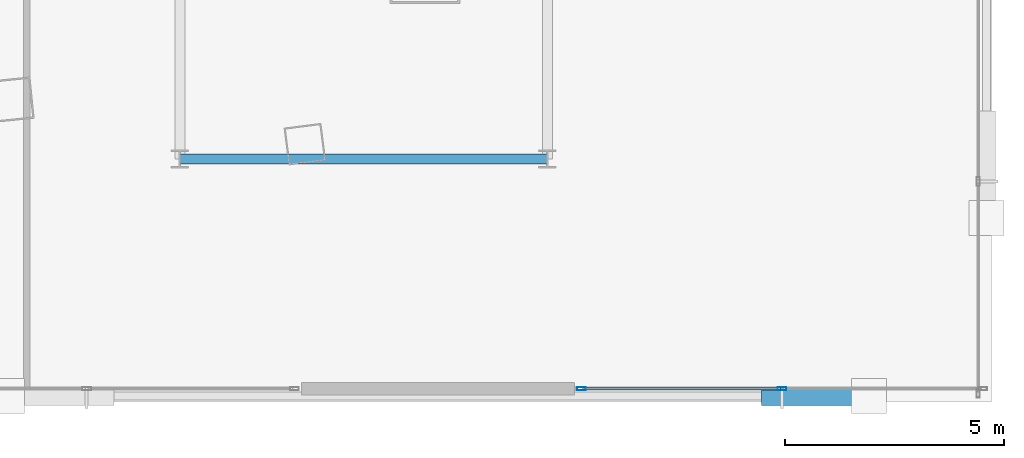
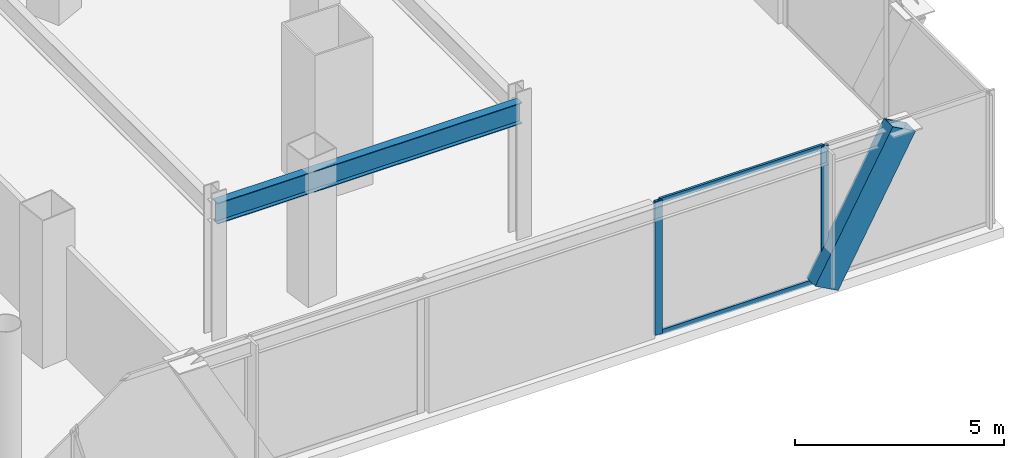
# One storey, part 15 of 46: 5 members, 1 beam, 1 element without a shape of its own.
"""IFC4 building model written with IfcOpenShell, lengths in metres."""

import ifcopenshell
import ifcopenshell.guid

model = None  # the IFC model being written
_history = None  # IfcOwnerHistory: only IFC2X3 demands one
_inside = {}  # id of a spatial element -> (the spatial element, [elements in it])
_under = {}  # id of a project, library or spatial element -> (it, [spatial elements below it])
_declared = {}  # id of a project -> (the project, [libraries it declares])
_typed = {}  # id of a type object -> (the type object, [elements of that type])
_made_of = {}  # id of a material, layer set ... -> (it, [elements and type objects made of it])


def new_model(schema):
    """Start an empty IFC model of exactly this schema.

    Asked for "IFC4X3", IfcOpenShell would pick the latest addendum, in which some entities
    have other attributes; the version numbers below select the first issue.
    IFC2X3 requires an IfcOwnerHistory on every rooted entity: one is made here for all.
    """
    global model, _history
    if schema == "IFC4X3":
        model = ifcopenshell.file(schema_version=(4, 3, 0, 0))
    else:
        model = ifcopenshell.file(schema=schema)
    _inside.clear()
    _under.clear()
    _declared.clear()
    _typed.clear()
    _made_of.clear()
    _history = None
    if model.schema == "IFC2X3":
        org = make("IfcOrganization", Name="unknown")
        user = make(
            "IfcPersonAndOrganization",
            ThePerson=make("IfcPerson", FamilyName="unknown"),
            TheOrganization=org,
        )
        app = make(
            "IfcApplication",
            ApplicationDeveloper=org,
            Version="unknown",
            ApplicationFullName="unknown",
            ApplicationIdentifier="unknown",
        )
        _history = make(
            "IfcOwnerHistory",
            OwningUser=user,
            OwningApplication=app,
            ChangeAction="ADDED",
            CreationDate=0,
        )
    return model


def make(cls, **values):
    """One entity of the class cls with the attributes given. An attribute that is None is left unset."""
    return model.create_entity(
        cls, **{name: value for name, value in values.items() if value is not None}
    )


def rooted(cls, **values):
    """An entity with a GlobalId (a new one), such as an element, a storey or a relation."""
    return make(cls, GlobalId=ifcopenshell.guid.new(), OwnerHistory=_history, **values)


def si_unit(unit_type, name, prefix=None):
    """IfcSIUnit, for example si_unit("LENGTHUNIT", "METRE", prefix="MILLI")."""
    return make("IfcSIUnit", UnitType=unit_type, Prefix=prefix, Name=name)


def assignment(units):
    """IfcUnitAssignment: the units of a project."""
    return None if units is None else make("IfcUnitAssignment", Units=units)


def point(xyz):
    """IfcCartesianPoint."""
    return None if xyz is None else make("IfcCartesianPoint", Coordinates=xyz)


def direction(xyz):
    """IfcDirection."""
    return None if xyz is None else make("IfcDirection", DirectionRatios=xyz)


def frame(location, z_axis=None, x_axis=None):
    """IfcAxis2Placement3D, a coordinate frame: its origin and axes. An axis left out is left unset."""
    return make(
        "IfcAxis2Placement3D",
        Location=point(location),
        Axis=direction(z_axis),
        RefDirection=direction(x_axis),
    )


def frame_2d(location, x_axis=None):
    """IfcAxis2Placement2D, a coordinate frame in the plane: its origin and x axis."""
    return make(
        "IfcAxis2Placement2D", Location=point(location), RefDirection=direction(x_axis)
    )


def origin():
    """The frame at (0, 0, 0) with its axes left unset."""
    return frame((0.0, 0.0, 0.0))


def origin_2d():
    """The frame at (0, 0) in the plane with its x axis left unset."""
    return frame_2d((0.0, 0.0))


def place(relative_to, where):
    """IfcLocalPlacement: puts the frame where relative to a parent placement (None: the world)."""
    return make(
        "IfcLocalPlacement", PlacementRelTo=relative_to, RelativePlacement=where
    )


def context(
    kind, dimensions, precision=None, world=None, true_north=None, identifier=None
):
    """IfcGeometricRepresentationContext, for example the 3D "Model" context."""
    return make(
        "IfcGeometricRepresentationContext",
        ContextIdentifier=identifier,
        ContextType=kind,
        CoordinateSpaceDimension=dimensions,
        Precision=precision,
        WorldCoordinateSystem=world,
        TrueNorth=true_north,
    )


def subcontext(parent, identifier, kind, view, scale=None):
    """IfcGeometricRepresentationSubContext, for example "Body" below "Model"."""
    return make(
        "IfcGeometricRepresentationSubContext",
        ContextIdentifier=identifier,
        ContextType=kind,
        ParentContext=parent,
        TargetScale=scale,
        TargetView=view,
    )


def project(units=None, contexts=None):
    """IfcProject with its units and contexts."""
    return rooted(
        "IfcProject",
        Name="project",
        RepresentationContexts=contexts,
        UnitsInContext=assignment(units),
    )


def spatial(cls, under=None, at=None, **own):
    """A site, building, storey or space (cls), placed at a placement, below another one or the project."""
    s = rooted(cls, ObjectPlacement=at, **own)
    if under is not None:
        _under.setdefault(under.id(), (under, []))[1].append(s)
    return s


def profile(cls, at=None, kind="AREA", **sizes):
    """A parametric profile (cls). Its sizes go by their IFC names, for example OverallWidth=200.0."""
    return make(cls, ProfileType=kind, Position=at, **sizes)


def hollow_rectangle(**sizes):
    """IfcRectangleHollowProfileDef."""
    return profile("IfcRectangleHollowProfileDef", **sizes)


def i_section(**sizes):
    """IfcIShapeProfileDef."""
    return profile("IfcIShapeProfileDef", **sizes)


def extrude(swept, where, along, depth):
    """IfcExtrudedAreaSolid: the profile swept, set in the frame where, extruded along a direction by depth."""
    return make(
        "IfcExtrudedAreaSolid",
        SweptArea=swept,
        Position=where,
        ExtrudedDirection=direction(along),
        Depth=depth,
    )


def shape(context_of_items, identifier, shape_type, items):
    """IfcShapeRepresentation: the items that make up one representation, for example the "Body"."""
    return make(
        "IfcShapeRepresentation",
        ContextOfItems=context_of_items,
        RepresentationIdentifier=identifier,
        RepresentationType=shape_type,
        Items=items,
    )


def material(Name=None, Category=None):
    """IfcMaterial."""
    return make("IfcMaterial", Name=Name, Category=Category)


def layer(
    of_material, thickness, ventilated=None, Name=None, Category=None, Priority=None
):
    """IfcMaterialLayer: one layer of a wall or slab, of a material (None: an air gap)."""
    return make(
        "IfcMaterialLayer",
        Material=of_material,
        LayerThickness=thickness,
        IsVentilated=ventilated,
        Name=Name,
        Category=Category,
        Priority=Priority,
    )


def layer_set(layers, Name=None):
    """IfcMaterialLayerSet."""
    return make("IfcMaterialLayerSet", MaterialLayers=layers, LayerSetName=Name)


def material_profile(
    of_material, cross_section, Name=None, Category=None, Priority=None
):
    """IfcMaterialProfile: a cross section and its material."""
    return make(
        "IfcMaterialProfile",
        Name=Name,
        Material=of_material,
        Profile=cross_section,
        Priority=Priority,
        Category=Category,
    )


def profile_set(profiles, Name=None, composite=None):
    """IfcMaterialProfileSet."""
    return make(
        "IfcMaterialProfileSet",
        Name=Name,
        MaterialProfiles=profiles,
        CompositeProfile=composite,
    )


def made_of(thing, what):
    """Note that an element or type object is made of a material, layer set ...; save() writes the relation."""
    if what is not None:
        _made_of.setdefault(what.id(), (what, []))[1].append(thing)
    return thing


def type_object(cls, material=None, **own):
    """A type object (cls), such as IfcWallType, which elements share."""
    return made_of(rooted(cls, **own), material)


def element(
    cls,
    number,
    at=None,
    inside=None,
    cuts=None,
    type_object=None,
    material=None,
    context=None,
    identifier="Body",
    shape_type=None,
    held_by="IfcProductDefinitionShape",
    body=None,
    shapes=None,
    **own,
):
    """One element of the class cls, such as IfcWall. Its Tag is "e" and its number.

    at: its placement. inside: the storey or other place that contains it. cuts: it is an
    opening in that element (IfcRelVoidsElement). A single representation is given by context,
    identifier, shape_type and body (its items); several are given by shapes. held_by: the class
    of the entity that holds the representations. save() writes the other relations.
    """
    e = rooted(cls, Tag="e%d" % number, ObjectPlacement=at, **own)
    if body is not None:
        shapes = [shape(context, identifier, shape_type, body)]
    if shapes is not None:
        e.Representation = make(held_by, Representations=shapes)
    if inside is not None:
        _inside.setdefault(inside.id(), (inside, []))[1].append(e)
    if cuts is not None:
        rooted(
            "IfcRelVoidsElement", RelatingBuildingElement=cuts, RelatedOpeningElement=e
        )
    if type_object is not None:
        _typed.setdefault(type_object.id(), (type_object, []))[1].append(e)
    return made_of(e, material)


def aggregate(whole, parts):
    """IfcRelAggregates: a whole, such as a stair, and the parts it consists of."""
    return rooted("IfcRelAggregates", RelatingObject=whole, RelatedObjects=parts)


def save(model, path):
    """Write the relations noted so far, then the file.

    IfcRelAggregates (storeys below a building ...), IfcRelContainedInSpatialStructure (elements
    in a storey), IfcRelDefinesByType, IfcRelAssociatesMaterial and IfcRelDeclares: one each for
    every whole, place, type object, material and project.
    """
    for whole, parts in _under.values():
        aggregate(whole, parts)
    for where, things in _inside.values():
        rooted(
            "IfcRelContainedInSpatialStructure",
            RelatedElements=things,
            RelatingStructure=where,
        )
    for kind, things in _typed.values():
        rooted("IfcRelDefinesByType", RelatedObjects=things, RelatingType=kind)
    for what, things in _made_of.values():
        rooted("IfcRelAssociatesMaterial", RelatedObjects=things, RelatingMaterial=what)
    for by, libraries in _declared.values():
        rooted("IfcRelDeclares", RelatingContext=by, RelatedDefinitions=libraries)
    model.write(path)


model = new_model("IFC4")

# Units and contexts
model_context = context("Model", 3, precision=1e-05, world=origin(), true_north=direction((0.0, 1.0)))
body_context = subcontext(model_context, "Body", "Model", "MODEL_VIEW")
ifc_project = project(units=[si_unit("LENGTHUNIT", "METRE"), si_unit("AREAUNIT", "SQUARE_METRE"), si_unit("VOLUMEUNIT", "CUBIC_METRE"), si_unit("PLANEANGLEUNIT", "RADIAN"), si_unit("MASSUNIT", "GRAM", prefix="KILO")], contexts=[model_context])

# Site, building, storey
site_placement = place(None, origin())
site = spatial("IfcSite", under=ifc_project, at=site_placement, CompositionType="ELEMENT")
building_placement = place(site_placement, origin())
building = spatial("IfcBuilding", under=site, at=building_placement, Name="Orvanel Arch Residences", CompositionType="ELEMENT")
storey_placement = place(building_placement, frame((0.0, 0.0, 14.10009765625)))
storey = spatial("IfcBuildingStorey", under=building, at=storey_placement, Name="L03", CompositionType="ELEMENT", Elevation=14.10009765625)

# Beam
ifc_material_1 = material(Name="Structural steel AS/NZS 3679.1 Grade 300 (300 MPa)", Category="steel")
ifc_material_profile_1 = material_profile(ifc_material_1, i_section(OverallWidth=0.22900390625, OverallDepth=0.612060546875, WebThickness=0.011962890625, FlangeThickness=0.01953125, at=origin_2d()), Name="610UB125")
ifc_profile_set_1 = profile_set([ifc_material_profile_1], Name="Structural steel AS/NZS 3679.1 Grade 300 (300 MPa)")
beam_type = type_object("IfcBeamType", Name="BG-610UB", PredefinedType="BEAM", material=ifc_profile_set_1)
beam_placement = place(storey_placement, frame((46.199951171875, 6.0, 3.593994140625), z_axis=(1.0, 0.0, 0.0), x_axis=(0.0, 1.0, 0.0)))
element("IfcBeam", 1, at=beam_placement, inside=storey, type_object=beam_type, Name="L03 BG-610UB beam", PredefinedType="BEAM", context=body_context, shape_type="SweptSolid", body=[
    extrude(i_section(OverallWidth=0.22900390625, OverallDepth=0.612060546875, WebThickness=0.011962890625, FlangeThickness=0.01953125, at=origin_2d()), origin(), (0.0, 0.0, 1.0), 8.400146484375),
])

# Member
ifc_material_2 = material(Name="Structural steel AS/NZS 3678 Grade 350", Category="steel")
ifc_material_profile_2 = material_profile(ifc_material_2, hollow_rectangle(XDim=0.419921875, YDim=0.719970703125, WallThickness=0.02490234375, at=origin_2d()), Name="RHS720x420x25")
ifc_profile_set_2 = profile_set([ifc_material_profile_2], Name="Structural steel AS/NZS 3678 Grade 350")
member_type_1 = type_object("IfcMemberType", Name="BR-720RHS-EXT", PredefinedType="BRACE", material=ifc_profile_set_2)
member_1_placement = place(storey_placement, frame((59.81591796875, 0.580078125, 0.0), z_axis=(0.480032945873, 0.0, 0.877250460745), x_axis=(0.0, 1.0, 0.0)))
element("IfcMember", 2, at=member_1_placement, inside=storey, type_object=member_type_1, Name="L03 Podium Multi-Storey V-Strut Pair SE Leg 2", PredefinedType="BRACE", context=body_context, shape_type="SweptSolid", body=[
    extrude(hollow_rectangle(XDim=0.419921875, YDim=0.719970703125, WallThickness=0.02490234375, at=origin_2d()), origin(), (0.0, 0.0, 1.0), 4.445556640625),
])

# Curtain wall, members
ifc_material_3 = material(Name="Bronze-anodised aluminium AA6063-T6", Category="aluminium")
ifc_layer = layer(ifc_material_3, 0.199951171875)
ifc_layer_set = layer_set([ifc_layer], Name="Bronze-anodised aluminium AA6063-T6")
curtain_wall_type = type_object("IfcCurtainWallType", Name="CW1-POD-SYS", PredefinedType="NOTDEFINED", material=ifc_layer_set)
curtain_wall_placement = place(storey_placement, origin())
curtain_wall = element("IfcCurtainWall", 3, at=curtain_wall_placement, inside=storey, type_object=curtain_wall_type, Name="L03 CW1-POD-SYS Unitised Curtain Wall", PredefinedType="NOTDEFINED")
ifc_material_profile_3 = material_profile(ifc_material_3, hollow_rectangle(XDim=0.074951171875, YDim=0.199951171875, WallThickness=0.0048828125, at=origin_2d()), Name="ALU200x75x5")
ifc_profile_set_3 = profile_set([ifc_material_profile_3], Name="Bronze-anodised aluminium AA6063-T6")
member_type_2 = type_object("IfcMemberType", Name="MUL-200x75", PredefinedType="MULLION", material=ifc_profile_set_3)
member_2_placement = place(storey_placement, frame((55.37744140625, 0.75, 0.0), z_axis=(0.0, 0.0, 1.0), x_axis=(0.0, 1.0, 0.0)))
member_2 = element("IfcMember", 4, at=member_2_placement, type_object=member_type_2, Name="CW-S1 mullion 1", PredefinedType="MULLION", context=body_context, shape_type="SweptSolid", body=[
    extrude(hollow_rectangle(XDim=0.074951171875, YDim=0.199951171875, WallThickness=0.0048828125, at=origin_2d()), origin(), (0.0, 0.0, 1.0), 3.89990234375),
])
member_3_placement = place(storey_placement, frame((59.965087890625, 0.75, 0.0), z_axis=(0.0, 0.0, 1.0), x_axis=(0.0, 1.0, 0.0)))
member_3 = element("IfcMember", 5, at=member_3_placement, type_object=member_type_2, Name="CW-S1 mullion 2", PredefinedType="MULLION", context=body_context, shape_type="SweptSolid", body=[
    extrude(hollow_rectangle(XDim=0.074951171875, YDim=0.199951171875, WallThickness=0.0048828125, at=origin_2d()), origin(), (0.0, 0.0, 1.0), 3.89990234375),
])
ifc_material_profile_4 = material_profile(ifc_material_3, hollow_rectangle(XDim=0.06494140625, YDim=0.14990234375, WallThickness=0.00390625, at=origin_2d()), Name="ALU150x65x4")
ifc_profile_set_4 = profile_set([ifc_material_profile_4], Name="Bronze-anodised aluminium AA6063-T6")
member_type_3 = type_object("IfcMemberType", Name="TRN-150x65", PredefinedType="USERDEFINED", material=ifc_profile_set_4)
member_4_placement = place(storey_placement, frame((55.4150390625, 0.75, 0.032470703125), z_axis=(1.0, 0.0, 0.0), x_axis=(0.0, 1.0, 0.0)))
member_4 = element("IfcMember", 6, at=member_4_placement, type_object=member_type_3, Name="CW-S1 transom 1.1", ObjectType="TRANSOM", PredefinedType="USERDEFINED", context=body_context, shape_type="SweptSolid", body=[
    extrude(hollow_rectangle(XDim=0.06494140625, YDim=0.14990234375, WallThickness=0.00390625, at=origin_2d()), origin(), (0.0, 0.0, 1.0), 4.512451171875),
])
member_5_placement = place(storey_placement, frame((55.4150390625, 0.75, 3.867431640625), z_axis=(1.0, 0.0, 0.0), x_axis=(0.0, 1.0, 0.0)))
member_5 = element("IfcMember", 7, at=member_5_placement, type_object=member_type_3, Name="CW-S1 transom 1.2", ObjectType="TRANSOM", PredefinedType="USERDEFINED", context=body_context, shape_type="SweptSolid", body=[
    extrude(hollow_rectangle(XDim=0.06494140625, YDim=0.14990234375, WallThickness=0.00390625, at=origin_2d()), origin(), (0.0, 0.0, 1.0), 4.512451171875),
])
aggregate(curtain_wall, [member_2, member_3, member_4, member_5])

save(model, "model.ifc")
